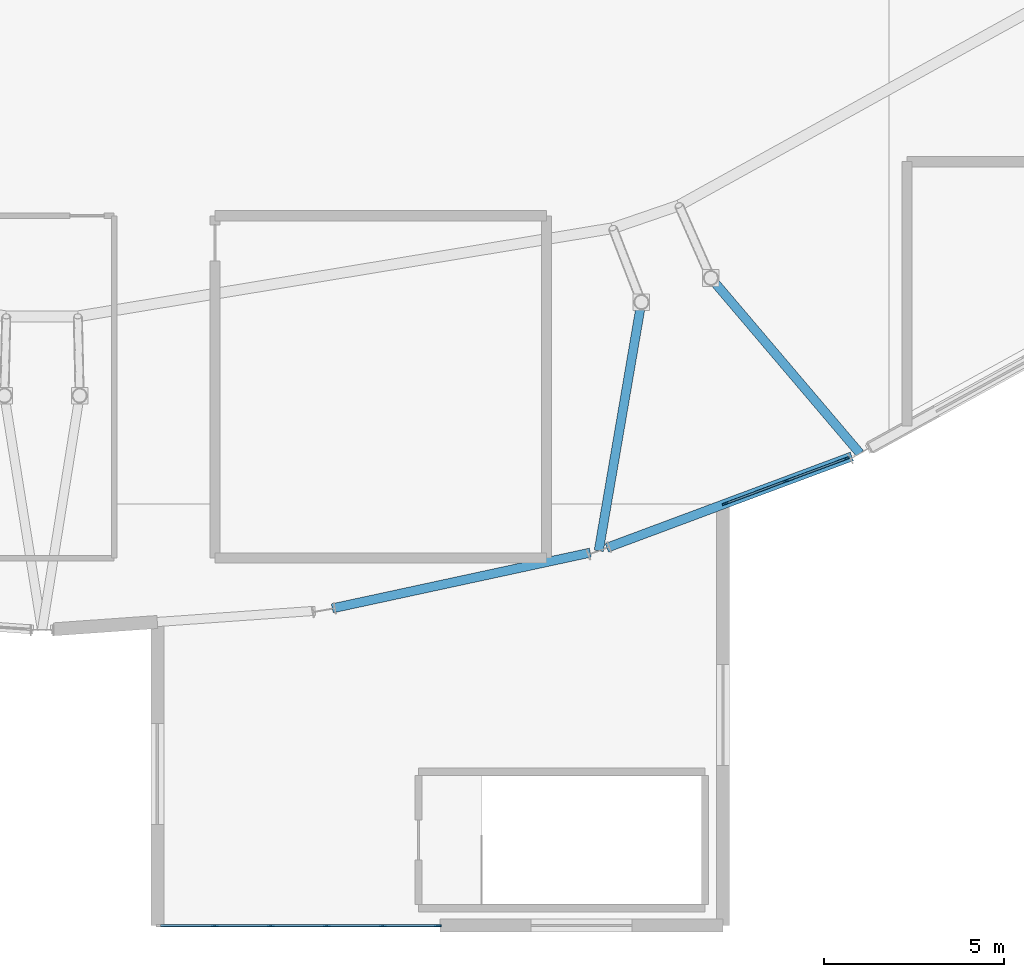
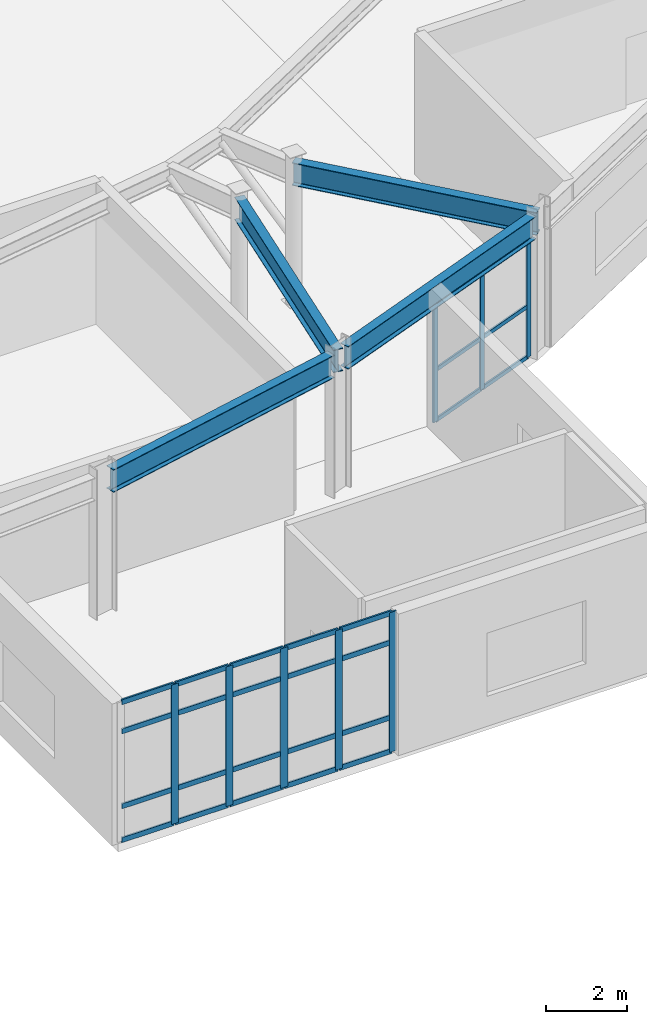
# One storey, part 21 of 48: 34 members, 4 beams, 2 elements without a shape of their own.
"""IFC4 building model written with IfcOpenShell, lengths in metres."""

from ifc_helpers import new_model, si_unit, direction, frame, origin, origin_2d, place, context, subcontext, project, spatial, rectangle, i_section, extrude, material, material_profile, profile_set, type_object, element, aggregate, save


model = new_model("IFC4")

# Units and contexts
model_context = context("Model", 3, precision=1e-05, world=origin(), true_north=direction((0.0, 1.0)))
body_context = subcontext(model_context, "Body", "Model", "MODEL_VIEW")
ifc_project = project(units=[si_unit("LENGTHUNIT", "METRE"), si_unit("AREAUNIT", "SQUARE_METRE"), si_unit("VOLUMEUNIT", "CUBIC_METRE"), si_unit("PLANEANGLEUNIT", "RADIAN"), si_unit("MASSUNIT", "GRAM", prefix="KILO")], contexts=[model_context])

# Site, building, storey
site_placement = place(None, origin())
site = spatial("IfcSite", under=ifc_project, at=site_placement, CompositionType="ELEMENT")
building_placement = place(site_placement, origin())
building = spatial("IfcBuilding", under=site, at=building_placement, Name="Glasvene Arena", CompositionType="ELEMENT")
storey_placement = place(building_placement, frame((0.0, 0.0, 19.5)))
storey = spatial("IfcBuildingStorey", under=building, at=storey_placement, Name="L04", CompositionType="ELEMENT", Elevation=19.5)

# Beams
ifc_material_1 = material(Name="Steel S355J2", Category="steel")
ifc_material_profile_1 = material_profile(ifc_material_1, i_section(OverallWidth=0.253662109375, OverallDepth=0.68359375, WebThickness=0.012451171875, FlangeThickness=0.01904296875, FilletRadius=0.01513671875, at=origin_2d()), Name="UKB 686x254x140")
ifc_profile_set_1 = profile_set([ifc_material_profile_1], Name="Steel S355J2")
beam_type = type_object("IfcBeamType", Name="BM-GIRD-686", PredefinedType="BEAM", material=ifc_profile_set_1)
beam_1_placement = place(storey_placement, frame((100.056396484375, 28.604736328125, 3.908203125), z_axis=(0.97744150895, 0.211206289161, 0.0), x_axis=(-0.211206289161, 0.97744150895, 0.0)))
element("IfcBeam", 1, at=beam_1_placement, inside=storey, type_object=beam_type, Name="Bowl ring chord beam L04-32", PredefinedType="BEAM", context=body_context, shape_type="SweptSolid", body=[
    extrude(i_section(OverallWidth=0.253662109375, OverallDepth=0.68359375, WebThickness=0.012451171875, FlangeThickness=0.01904296875, FilletRadius=0.01513671875, at=origin_2d()), origin(), (0.0, 0.0, 1.0), 7.3251953125),
])
beam_2_placement = place(storey_placement, frame((107.67578125, 30.286376953125, 3.908203125), z_axis=(0.937013245498, 0.349293827259, 0.0), x_axis=(-0.349293827259, 0.937013245498, 0.0)))
element("IfcBeam", 2, at=beam_2_placement, inside=storey, type_object=beam_type, Name="Bowl ring chord beam L04-33", PredefinedType="BEAM", context=body_context, shape_type="SweptSolid", body=[
    extrude(i_section(OverallWidth=0.253662109375, OverallDepth=0.68359375, WebThickness=0.012451171875, FlangeThickness=0.01904296875, FilletRadius=0.01513671875, at=origin_2d()), origin(), (0.0, 0.0, 1.0), 7.255859375),
])
beam_3_placement = place(storey_placement, frame((108.634765625, 37.10546875, 3.908203125), z_axis=(-0.169060564867, -0.985605664253, 0.0), x_axis=(0.985605664253, -0.169060564867, 0.0)))
element("IfcBeam", 3, at=beam_3_placement, inside=storey, type_object=beam_type, Name="Gondola outer floor beam 26", PredefinedType="BEAM", context=body_context, shape_type="SweptSolid", body=[
    extrude(i_section(OverallWidth=0.253662109375, OverallDepth=0.68359375, WebThickness=0.012451171875, FlangeThickness=0.01904296875, FilletRadius=0.01513671875, at=origin_2d()), origin(), (0.0, 0.0, 1.0), 7.00390625),
])
beam_4_placement = place(storey_placement, frame((110.56298828125, 37.774169921875, 3.908203125), z_axis=(0.647421006623, -0.762132560768, 0.0), x_axis=(0.762132560768, 0.647421006623, 0.0)))
element("IfcBeam", 4, at=beam_4_placement, inside=storey, type_object=beam_type, Name="Gondola outer floor beam 27", PredefinedType="BEAM", context=body_context, shape_type="SweptSolid", body=[
    extrude(i_section(OverallWidth=0.253662109375, OverallDepth=0.68359375, WebThickness=0.012451171875, FlangeThickness=0.01904296875, FilletRadius=0.01513671875, at=origin_2d()), origin(), (0.0, 0.0, 1.0), 6.38916015625),
])

# Curtain wall, members
ifc_material_2 = material(Name="Low-emissivity laminated double glazing", Category="glass")
curtain_wall_type_1 = type_object("IfcCurtainWallType", Name="CW-FAC-L04-364x350", PredefinedType="USERDEFINED", material=ifc_material_2)
curtain_wall_1_placement = place(storey_placement, frame((114.351806640625, 32.77490234375, 0.0)))
curtain_wall_1 = element("IfcCurtainWall", 5, at=curtain_wall_1_placement, inside=storey, type_object=curtain_wall_type_1, Name="Unitised curtain wall CW-F-L04-150-1126-321-52", ObjectType="CURTAIN WALL", PredefinedType="USERDEFINED")
ifc_material_3 = material(Name="Anodised architectural aluminium", Category="aluminium")
ifc_material_profile_2 = material_profile(ifc_material_3, rectangle(XDim=0.050048828125, YDim=0.159912109375, at=origin_2d()), Name="ALU MULLION 50x160")
ifc_profile_set_2 = profile_set([ifc_material_profile_2], Name="Anodised architectural aluminium")
member_type_1 = type_object("IfcMemberType", Name="CW-MUL-150", PredefinedType="MULLION", material=ifc_profile_set_2)
member_1_placement = place(storey_placement, frame((114.328369140625, 32.766357421875, 0.06005859375), z_axis=(0.0, 0.0, 1.0), x_axis=(0.34928811123, -0.937015376263, 0.0)))
member_1 = element("IfcMember", 6, at=member_1_placement, type_object=member_type_1, Name="CW-052 mullion 1", PredefinedType="MULLION", context=body_context, shape_type="SweptSolid", body=[
    extrude(rectangle(XDim=0.050048828125, YDim=0.159912109375, at=origin_2d()), origin(), (0.0, 0.0, 1.0), 3.501953125),
])
member_2_placement = place(storey_placement, frame((112.64453125, 32.138671875, 0.06005859375), z_axis=(0.0, 0.0, 1.0), x_axis=(0.34928811123, -0.937015376263, 0.0)))
member_2 = element("IfcMember", 7, at=member_2_placement, type_object=member_type_1, Name="CW-052 mullion 2", PredefinedType="MULLION", context=body_context, shape_type="SweptSolid", body=[
    extrude(rectangle(XDim=0.050048828125, YDim=0.159912109375, at=origin_2d()), origin(), (0.0, 0.0, 1.0), 3.501953125),
])
member_3_placement = place(storey_placement, frame((110.9609375, 31.510986328125, 0.06005859375), z_axis=(0.0, 0.0, 1.0), x_axis=(0.34928811123, -0.937015376263, 0.0)))
member_3 = element("IfcMember", 8, at=member_3_placement, type_object=member_type_1, Name="CW-052 mullion 3", PredefinedType="MULLION", context=body_context, shape_type="SweptSolid", body=[
    extrude(rectangle(XDim=0.050048828125, YDim=0.159912109375, at=origin_2d()), origin(), (0.0, 0.0, 1.0), 3.501953125),
])

curtain_wall_type_2 = type_object("IfcCurtainWallType", Name="CW-FAC-L03-777x419", PredefinedType="USERDEFINED", material=ifc_material_2)
curtain_wall_2_placement = place(storey_placement, frame((103.010009765625, 19.800048828125, 0.0)))
curtain_wall_2 = element("IfcCurtainWall", 9, at=curtain_wall_2_placement, inside=storey, type_object=curtain_wall_type_2, Name="Unitised curtain wall CW-F-L04-180-991-198-55", ObjectType="CURTAIN WALL", PredefinedType="USERDEFINED")
ifc_material_profile_3 = material_profile(ifc_material_3, rectangle(XDim=0.050048828125, YDim=0.199951171875, at=origin_2d()), Name="ALU MULLION 50x200")
ifc_profile_set_3 = profile_set([ifc_material_profile_3], Name="Anodised architectural aluminium")
member_type_2 = type_object("IfcMemberType", Name="CW-MUL-180", PredefinedType="MULLION", material=ifc_profile_set_3)
member_4_placement = place(storey_placement, frame((102.985107421875, 19.800048828125, 0.06005859375), z_axis=(0.0, 0.0, 1.0), x_axis=(0.0, -1.0, 0.0)))
member_4 = element("IfcMember", 10, at=member_4_placement, type_object=member_type_2, Name="CW-042 mullion 1", PredefinedType="MULLION", context=body_context, shape_type="SweptSolid", body=[
    extrude(rectangle(XDim=0.050048828125, YDim=0.199951171875, at=origin_2d()), origin(), (0.0, 0.0, 1.0), 4.18994140625),
])
member_5_placement = place(storey_placement, frame((101.4560546875, 19.800048828125, 0.06005859375), z_axis=(0.0, 0.0, 1.0), x_axis=(0.0, -1.0, 0.0)))
member_5 = element("IfcMember", 11, at=member_5_placement, type_object=member_type_2, Name="CW-042 mullion 2", PredefinedType="MULLION", context=body_context, shape_type="SweptSolid", body=[
    extrude(rectangle(XDim=0.050048828125, YDim=0.199951171875, at=origin_2d()), origin(), (0.0, 0.0, 1.0), 4.18994140625),
])
member_6_placement = place(storey_placement, frame((99.902099609375, 19.800048828125, 0.06005859375), z_axis=(0.0, 0.0, 1.0), x_axis=(0.0, -1.0, 0.0)))
member_6 = element("IfcMember", 12, at=member_6_placement, type_object=member_type_2, Name="CW-042 mullion 3", PredefinedType="MULLION", context=body_context, shape_type="SweptSolid", body=[
    extrude(rectangle(XDim=0.050048828125, YDim=0.199951171875, at=origin_2d()), origin(), (0.0, 0.0, 1.0), 4.18994140625),
])
member_7_placement = place(storey_placement, frame((98.347900390625, 19.800048828125, 0.06005859375), z_axis=(0.0, 0.0, 1.0), x_axis=(0.0, -1.0, 0.0)))
member_7 = element("IfcMember", 13, at=member_7_placement, type_object=member_type_2, Name="CW-042 mullion 4", PredefinedType="MULLION", context=body_context, shape_type="SweptSolid", body=[
    extrude(rectangle(XDim=0.050048828125, YDim=0.199951171875, at=origin_2d()), origin(), (0.0, 0.0, 1.0), 4.18994140625),
])
member_8_placement = place(storey_placement, frame((96.7939453125, 19.800048828125, 0.06005859375), z_axis=(0.0, 0.0, 1.0), x_axis=(0.0, -1.0, 0.0)))
member_8 = element("IfcMember", 14, at=member_8_placement, type_object=member_type_2, Name="CW-042 mullion 5", PredefinedType="MULLION", context=body_context, shape_type="SweptSolid", body=[
    extrude(rectangle(XDim=0.050048828125, YDim=0.199951171875, at=origin_2d()), origin(), (0.0, 0.0, 1.0), 4.18994140625),
])

# Member
ifc_material_profile_4 = material_profile(ifc_material_3, rectangle(XDim=0.050048828125, YDim=0.1201171875, at=origin_2d()), Name="ALU TRANSOM 50x120")
ifc_profile_set_4 = profile_set([ifc_material_profile_4], Name="Anodised architectural aluminium")
member_type_3 = type_object("IfcMemberType", Name="CW-TRN-120", PredefinedType="USERDEFINED", material=ifc_profile_set_4)
member_9_placement = place(storey_placement, frame((114.304931640625, 32.757568359375, 0.0849609375), z_axis=(-0.937033697646, -0.349238957557, 0.0), x_axis=(0.349238957557, -0.937033697646, 0.0)))
member_9 = element("IfcMember", 15, at=member_9_placement, type_object=member_type_3, Name="CW-052 transom 1.1", ObjectType="TRANSOM", PredefinedType="USERDEFINED", context=body_context, shape_type="SweptSolid", body=[
    extrude(rectangle(XDim=0.050048828125, YDim=0.1201171875, at=origin_2d()), origin(), (0.0, 0.0, 1.0), 1.7470703125),
])

member_10_placement = place(storey_placement, frame((114.304931640625, 32.757568359375, 1.60302734375), z_axis=(-0.937033697646, -0.349238957557, 0.0), x_axis=(0.349238957557, -0.937033697646, 0.0)))
member_10 = element("IfcMember", 16, at=member_10_placement, type_object=member_type_3, Name="CW-052 transom 1.2", ObjectType="TRANSOM", PredefinedType="USERDEFINED", context=body_context, shape_type="SweptSolid", body=[
    extrude(rectangle(XDim=0.050048828125, YDim=0.1201171875, at=origin_2d()), origin(), (0.0, 0.0, 1.0), 1.7470703125),
])

member_11_placement = place(storey_placement, frame((114.304931640625, 32.757568359375, 3.537109375), z_axis=(-0.937033697646, -0.349238957557, 0.0), x_axis=(0.349238957557, -0.937033697646, 0.0)))
member_11 = element("IfcMember", 17, at=member_11_placement, type_object=member_type_3, Name="CW-052 transom 1.3", ObjectType="TRANSOM", PredefinedType="USERDEFINED", context=body_context, shape_type="SweptSolid", body=[
    extrude(rectangle(XDim=0.050048828125, YDim=0.1201171875, at=origin_2d()), origin(), (0.0, 0.0, 1.0), 1.7470703125),
])

member_12_placement = place(storey_placement, frame((112.62109375, 32.1298828125, 0.0849609375), z_axis=(-0.93701664911, -0.349284696618, 0.0), x_axis=(0.349284696618, -0.93701664911, 0.0)))
member_12 = element("IfcMember", 18, at=member_12_placement, type_object=member_type_3, Name="CW-052 transom 2.1", ObjectType="TRANSOM", PredefinedType="USERDEFINED", context=body_context, shape_type="SweptSolid", body=[
    extrude(rectangle(XDim=0.050048828125, YDim=0.1201171875, at=origin_2d()), origin(), (0.0, 0.0, 1.0), 1.746826171875),
])

member_13_placement = place(storey_placement, frame((112.62109375, 32.1298828125, 1.60302734375), z_axis=(-0.93701664911, -0.349284696618, 0.0), x_axis=(0.349284696618, -0.93701664911, 0.0)))
member_13 = element("IfcMember", 19, at=member_13_placement, type_object=member_type_3, Name="CW-052 transom 2.2", ObjectType="TRANSOM", PredefinedType="USERDEFINED", context=body_context, shape_type="SweptSolid", body=[
    extrude(rectangle(XDim=0.050048828125, YDim=0.1201171875, at=origin_2d()), origin(), (0.0, 0.0, 1.0), 1.746826171875),
])

member_14_placement = place(storey_placement, frame((112.62109375, 32.1298828125, 3.537109375), z_axis=(-0.93701664911, -0.349284696618, 0.0), x_axis=(0.349284696618, -0.93701664911, 0.0)))
member_14 = element("IfcMember", 20, at=member_14_placement, type_object=member_type_3, Name="CW-052 transom 2.3", ObjectType="TRANSOM", PredefinedType="USERDEFINED", context=body_context, shape_type="SweptSolid", body=[
    extrude(rectangle(XDim=0.050048828125, YDim=0.1201171875, at=origin_2d()), origin(), (0.0, 0.0, 1.0), 1.746826171875),
])

aggregate(curtain_wall_1, [member_1, member_2, member_3, member_9, member_10, member_11, member_12, member_13, member_14])

ifc_material_profile_5 = material_profile(ifc_material_3, rectangle(XDim=0.050048828125, YDim=0.14990234375, at=origin_2d()), Name="ALU TRANSOM 50x150")
ifc_profile_set_5 = profile_set([ifc_material_profile_5], Name="Anodised architectural aluminium")
member_type_4 = type_object("IfcMemberType", Name="CW-TRN-150", PredefinedType="USERDEFINED", material=ifc_profile_set_5)
member_15_placement = place(storey_placement, frame((102.9599609375, 19.800048828125, 0.0849609375), z_axis=(-1.0, 0.0, 0.0), x_axis=(0.0, -1.0, 0.0)))
member_15 = element("IfcMember", 21, at=member_15_placement, type_object=member_type_4, Name="CW-042 transom 1.1", ObjectType="TRANSOM", PredefinedType="USERDEFINED", context=body_context, shape_type="SweptSolid", body=[
    extrude(rectangle(XDim=0.050048828125, YDim=0.14990234375, at=origin_2d()), origin(), (0.0, 0.0, 1.0), 1.47900390625),
])

member_16_placement = place(storey_placement, frame((102.9599609375, 19.800048828125, 1.10009765625), z_axis=(-1.0, 0.0, 0.0), x_axis=(0.0, -1.0, 0.0)))
member_16 = element("IfcMember", 22, at=member_16_placement, type_object=member_type_4, Name="CW-042 transom 1.2", ObjectType="TRANSOM", PredefinedType="USERDEFINED", context=body_context, shape_type="SweptSolid", body=[
    extrude(rectangle(XDim=0.050048828125, YDim=0.14990234375, at=origin_2d()), origin(), (0.0, 0.0, 1.0), 1.47900390625),
])

member_17_placement = place(storey_placement, frame((102.9599609375, 19.800048828125, 3.35009765625), z_axis=(-1.0, 0.0, 0.0), x_axis=(0.0, -1.0, 0.0)))
member_17 = element("IfcMember", 23, at=member_17_placement, type_object=member_type_4, Name="CW-042 transom 1.3", ObjectType="TRANSOM", PredefinedType="USERDEFINED", context=body_context, shape_type="SweptSolid", body=[
    extrude(rectangle(XDim=0.050048828125, YDim=0.14990234375, at=origin_2d()), origin(), (0.0, 0.0, 1.0), 1.47900390625),
])

member_18_placement = place(storey_placement, frame((102.9599609375, 19.800048828125, 4.22509765625), z_axis=(-1.0, 0.0, 0.0), x_axis=(0.0, -1.0, 0.0)))
member_18 = element("IfcMember", 24, at=member_18_placement, type_object=member_type_4, Name="CW-042 transom 1.4", ObjectType="TRANSOM", PredefinedType="USERDEFINED", context=body_context, shape_type="SweptSolid", body=[
    extrude(rectangle(XDim=0.050048828125, YDim=0.14990234375, at=origin_2d()), origin(), (0.0, 0.0, 1.0), 1.47900390625),
])

member_19_placement = place(storey_placement, frame((101.430908203125, 19.800048828125, 0.0849609375), z_axis=(-1.0, 0.0, 0.0), x_axis=(0.0, -1.0, 0.0)))
member_19 = element("IfcMember", 25, at=member_19_placement, type_object=member_type_4, Name="CW-042 transom 2.1", ObjectType="TRANSOM", PredefinedType="USERDEFINED", context=body_context, shape_type="SweptSolid", body=[
    extrude(rectangle(XDim=0.050048828125, YDim=0.14990234375, at=origin_2d()), origin(), (0.0, 0.0, 1.0), 1.50390625),
])

member_20_placement = place(storey_placement, frame((101.430908203125, 19.800048828125, 1.10009765625), z_axis=(-1.0, 0.0, 0.0), x_axis=(0.0, -1.0, 0.0)))
member_20 = element("IfcMember", 26, at=member_20_placement, type_object=member_type_4, Name="CW-042 transom 2.2", ObjectType="TRANSOM", PredefinedType="USERDEFINED", context=body_context, shape_type="SweptSolid", body=[
    extrude(rectangle(XDim=0.050048828125, YDim=0.14990234375, at=origin_2d()), origin(), (0.0, 0.0, 1.0), 1.50390625),
])

member_21_placement = place(storey_placement, frame((101.430908203125, 19.800048828125, 3.35009765625), z_axis=(-1.0, 0.0, 0.0), x_axis=(0.0, -1.0, 0.0)))
member_21 = element("IfcMember", 27, at=member_21_placement, type_object=member_type_4, Name="CW-042 transom 2.3", ObjectType="TRANSOM", PredefinedType="USERDEFINED", context=body_context, shape_type="SweptSolid", body=[
    extrude(rectangle(XDim=0.050048828125, YDim=0.14990234375, at=origin_2d()), origin(), (0.0, 0.0, 1.0), 1.50390625),
])

member_22_placement = place(storey_placement, frame((101.430908203125, 19.800048828125, 4.22509765625), z_axis=(-1.0, 0.0, 0.0), x_axis=(0.0, -1.0, 0.0)))
member_22 = element("IfcMember", 28, at=member_22_placement, type_object=member_type_4, Name="CW-042 transom 2.4", ObjectType="TRANSOM", PredefinedType="USERDEFINED", context=body_context, shape_type="SweptSolid", body=[
    extrude(rectangle(XDim=0.050048828125, YDim=0.14990234375, at=origin_2d()), origin(), (0.0, 0.0, 1.0), 1.50390625),
])

member_23_placement = place(storey_placement, frame((99.876953125, 19.800048828125, 0.0849609375), z_axis=(-1.0, 0.0, 0.0), x_axis=(0.0, -1.0, 0.0)))
member_23 = element("IfcMember", 29, at=member_23_placement, type_object=member_type_4, Name="CW-042 transom 3.1", ObjectType="TRANSOM", PredefinedType="USERDEFINED", context=body_context, shape_type="SweptSolid", body=[
    extrude(rectangle(XDim=0.050048828125, YDim=0.14990234375, at=origin_2d()), origin(), (0.0, 0.0, 1.0), 1.50390625),
])

member_24_placement = place(storey_placement, frame((99.876953125, 19.800048828125, 1.10009765625), z_axis=(-1.0, 0.0, 0.0), x_axis=(0.0, -1.0, 0.0)))
member_24 = element("IfcMember", 30, at=member_24_placement, type_object=member_type_4, Name="CW-042 transom 3.2", ObjectType="TRANSOM", PredefinedType="USERDEFINED", context=body_context, shape_type="SweptSolid", body=[
    extrude(rectangle(XDim=0.050048828125, YDim=0.14990234375, at=origin_2d()), origin(), (0.0, 0.0, 1.0), 1.50390625),
])

member_25_placement = place(storey_placement, frame((99.876953125, 19.800048828125, 3.35009765625), z_axis=(-1.0, 0.0, 0.0), x_axis=(0.0, -1.0, 0.0)))
member_25 = element("IfcMember", 31, at=member_25_placement, type_object=member_type_4, Name="CW-042 transom 3.3", ObjectType="TRANSOM", PredefinedType="USERDEFINED", context=body_context, shape_type="SweptSolid", body=[
    extrude(rectangle(XDim=0.050048828125, YDim=0.14990234375, at=origin_2d()), origin(), (0.0, 0.0, 1.0), 1.50390625),
])

member_26_placement = place(storey_placement, frame((99.876953125, 19.800048828125, 4.22509765625), z_axis=(-1.0, 0.0, 0.0), x_axis=(0.0, -1.0, 0.0)))
member_26 = element("IfcMember", 32, at=member_26_placement, type_object=member_type_4, Name="CW-042 transom 3.4", ObjectType="TRANSOM", PredefinedType="USERDEFINED", context=body_context, shape_type="SweptSolid", body=[
    extrude(rectangle(XDim=0.050048828125, YDim=0.14990234375, at=origin_2d()), origin(), (0.0, 0.0, 1.0), 1.50390625),
])

member_27_placement = place(storey_placement, frame((98.322998046875, 19.800048828125, 0.0849609375), z_axis=(-1.0, 0.0, 0.0), x_axis=(0.0, -1.0, 0.0)))
member_27 = element("IfcMember", 33, at=member_27_placement, type_object=member_type_4, Name="CW-042 transom 4.1", ObjectType="TRANSOM", PredefinedType="USERDEFINED", context=body_context, shape_type="SweptSolid", body=[
    extrude(rectangle(XDim=0.050048828125, YDim=0.14990234375, at=origin_2d()), origin(), (0.0, 0.0, 1.0), 1.50390625),
])

member_28_placement = place(storey_placement, frame((98.322998046875, 19.800048828125, 1.10009765625), z_axis=(-1.0, 0.0, 0.0), x_axis=(0.0, -1.0, 0.0)))
member_28 = element("IfcMember", 34, at=member_28_placement, type_object=member_type_4, Name="CW-042 transom 4.2", ObjectType="TRANSOM", PredefinedType="USERDEFINED", context=body_context, shape_type="SweptSolid", body=[
    extrude(rectangle(XDim=0.050048828125, YDim=0.14990234375, at=origin_2d()), origin(), (0.0, 0.0, 1.0), 1.50390625),
])

member_29_placement = place(storey_placement, frame((98.322998046875, 19.800048828125, 3.35009765625), z_axis=(-1.0, 0.0, 0.0), x_axis=(0.0, -1.0, 0.0)))
member_29 = element("IfcMember", 35, at=member_29_placement, type_object=member_type_4, Name="CW-042 transom 4.3", ObjectType="TRANSOM", PredefinedType="USERDEFINED", context=body_context, shape_type="SweptSolid", body=[
    extrude(rectangle(XDim=0.050048828125, YDim=0.14990234375, at=origin_2d()), origin(), (0.0, 0.0, 1.0), 1.50390625),
])

member_30_placement = place(storey_placement, frame((98.322998046875, 19.800048828125, 4.22509765625), z_axis=(-1.0, 0.0, 0.0), x_axis=(0.0, -1.0, 0.0)))
member_30 = element("IfcMember", 36, at=member_30_placement, type_object=member_type_4, Name="CW-042 transom 4.4", ObjectType="TRANSOM", PredefinedType="USERDEFINED", context=body_context, shape_type="SweptSolid", body=[
    extrude(rectangle(XDim=0.050048828125, YDim=0.14990234375, at=origin_2d()), origin(), (0.0, 0.0, 1.0), 1.50390625),
])

member_31_placement = place(storey_placement, frame((96.76904296875, 19.800048828125, 0.0849609375), z_axis=(-1.0, 0.0, 0.0), x_axis=(0.0, -1.0, 0.0)))
member_31 = element("IfcMember", 37, at=member_31_placement, type_object=member_type_4, Name="CW-042 transom 5.1", ObjectType="TRANSOM", PredefinedType="USERDEFINED", context=body_context, shape_type="SweptSolid", body=[
    extrude(rectangle(XDim=0.050048828125, YDim=0.14990234375, at=origin_2d()), origin(), (0.0, 0.0, 1.0), 1.47900390625),
])

member_32_placement = place(storey_placement, frame((96.76904296875, 19.800048828125, 1.10009765625), z_axis=(-1.0, 0.0, 0.0), x_axis=(0.0, -1.0, 0.0)))
member_32 = element("IfcMember", 38, at=member_32_placement, type_object=member_type_4, Name="CW-042 transom 5.2", ObjectType="TRANSOM", PredefinedType="USERDEFINED", context=body_context, shape_type="SweptSolid", body=[
    extrude(rectangle(XDim=0.050048828125, YDim=0.14990234375, at=origin_2d()), origin(), (0.0, 0.0, 1.0), 1.47900390625),
])

member_33_placement = place(storey_placement, frame((96.76904296875, 19.800048828125, 3.35009765625), z_axis=(-1.0, 0.0, 0.0), x_axis=(0.0, -1.0, 0.0)))
member_33 = element("IfcMember", 39, at=member_33_placement, type_object=member_type_4, Name="CW-042 transom 5.3", ObjectType="TRANSOM", PredefinedType="USERDEFINED", context=body_context, shape_type="SweptSolid", body=[
    extrude(rectangle(XDim=0.050048828125, YDim=0.14990234375, at=origin_2d()), origin(), (0.0, 0.0, 1.0), 1.47900390625),
])

member_34_placement = place(storey_placement, frame((96.76904296875, 19.800048828125, 4.22509765625), z_axis=(-1.0, 0.0, 0.0), x_axis=(0.0, -1.0, 0.0)))
member_34 = element("IfcMember", 40, at=member_34_placement, type_object=member_type_4, Name="CW-042 transom 5.4", ObjectType="TRANSOM", PredefinedType="USERDEFINED", context=body_context, shape_type="SweptSolid", body=[
    extrude(rectangle(XDim=0.050048828125, YDim=0.14990234375, at=origin_2d()), origin(), (0.0, 0.0, 1.0), 1.47900390625),
])

aggregate(curtain_wall_2, [member_4, member_5, member_6, member_7, member_8, member_15, member_16, member_17, member_18, member_19, member_20, member_21, member_22, member_23, member_24, member_25, member_26, member_27, member_28, member_29, member_30, member_31, member_32, member_33, member_34])

save(model, "model.ifc")
